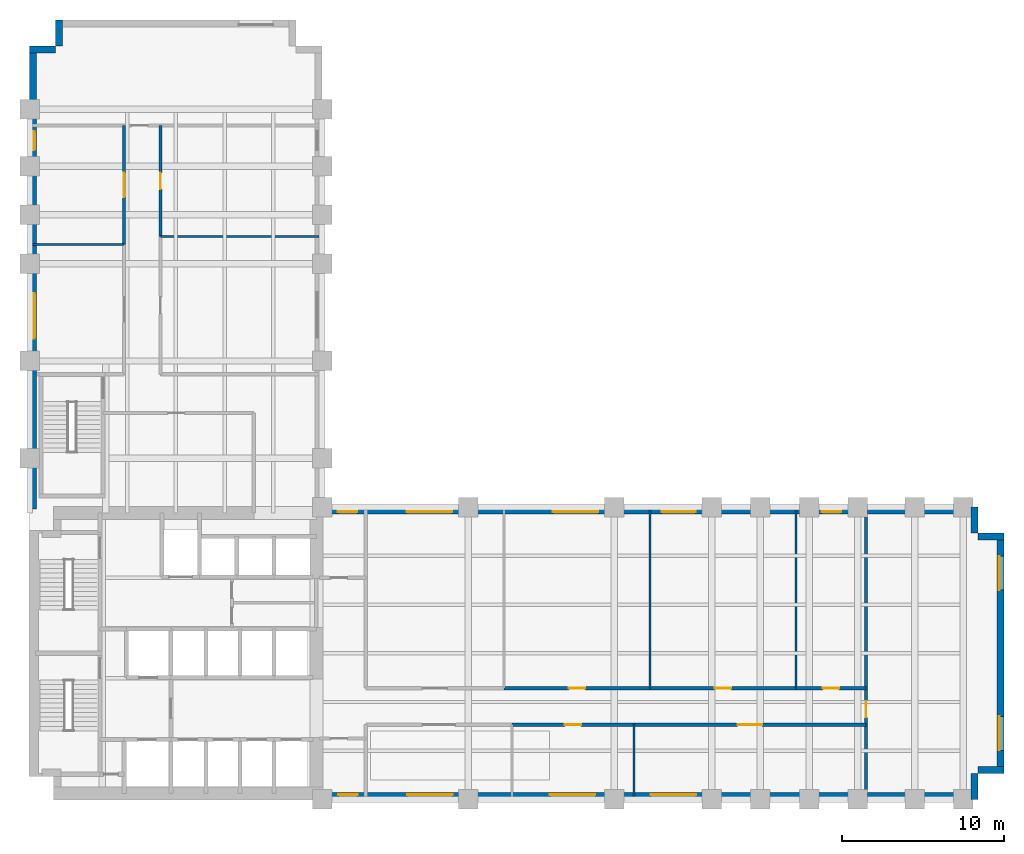
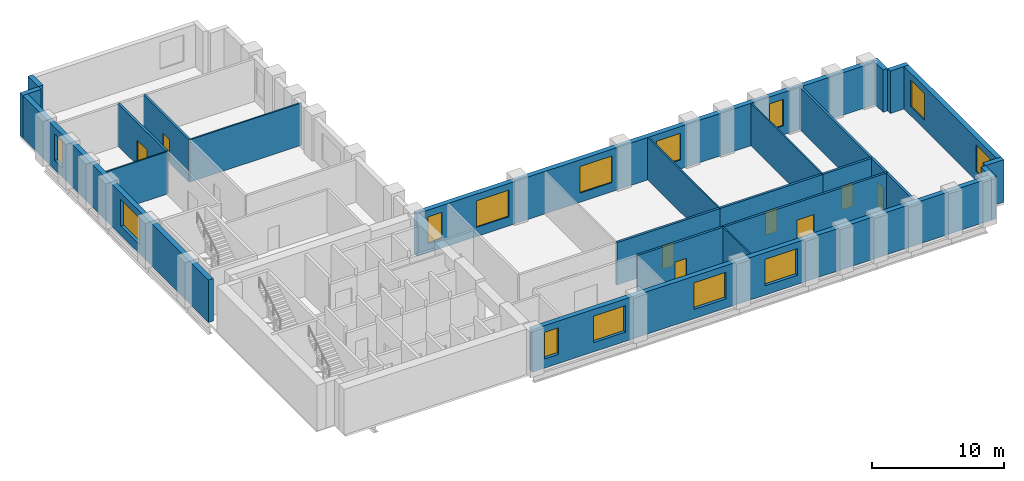
# One storey, part 5 of 7: 23 walls, 13 windows, 8 doors, 21 openings.
"""IFC4 building model written with IfcOpenShell, lengths in metres."""

from ifc_helpers import new_model, si_unit, direction, frame, frame_2d, origin, place, context, subcontext, project, spatial, rectangle, extrude, material, layer, layer_set, type_object, element, fill, save


model = new_model("IFC4")

# Units and contexts
model_context = context("Model", 3, precision=1e-05, world=origin(), true_north=direction((0.0, 1.0)))
body_context = subcontext(model_context, "Body", "Model", "MODEL_VIEW")
ifc_project = project(units=[si_unit("LENGTHUNIT", "METRE"), si_unit("AREAUNIT", "SQUARE_METRE"), si_unit("VOLUMEUNIT", "CUBIC_METRE"), si_unit("PLANEANGLEUNIT", "RADIAN"), si_unit("MASSUNIT", "GRAM", prefix="KILO")], contexts=[model_context])

# Site, building, storey
site_placement = place(None, origin())
site = spatial("IfcSite", under=ifc_project, at=site_placement, CompositionType="ELEMENT")
building_placement = place(site_placement, origin())
building = spatial("IfcBuilding", under=site, at=building_placement, Name="Mawjdan Bourse Tower", CompositionType="ELEMENT")
storey_placement = place(building_placement, frame((0.0, 0.0, 80.39990234375)))
storey = spatial("IfcBuildingStorey", under=building, at=storey_placement, Name="L18", CompositionType="ELEMENT", Elevation=80.39990234375)

# Wall, openings, windows
ifc_material_1 = material(Name="Brick Masonry Buff", Category="masonry")
ifc_layer_1 = layer(ifc_material_1, 0.419921875)
ifc_layer_set_1 = layer_set([ifc_layer_1], Name="Brick Masonry Buff")
wall_type_1 = type_object("IfcWallType", Name="WL-BRK-BUFF-420", PredefinedType="STANDARD", material=ifc_layer_set_1)
wall_1_placement = place(storey_placement, frame((23.89990234375, 3.2099609375, 0.0), z_axis=(0.0, 0.0, 1.0), x_axis=(1.0, 0.0, 0.0)))
wall_1 = element("IfcWall", 1, at=wall_1_placement, inside=storey, type_object=wall_type_1, Name="L18 Exterior Brick Wall 1", PredefinedType="STANDARD", context=body_context, shape_type="SweptSolid", body=[
    extrude(rectangle(XDim=40.5, YDim=0.419921875, at=frame_2d((20.25, 0.0))), origin(), (0.0, 0.0, 1.0), 3.920166015625),
])
opening_1_placement = place(wall_1_placement, frame((1.10009765625, 0.0, 0.85009765625)))
opening_1 = element("IfcOpeningElement", 2, at=opening_1_placement, cuts=wall_1, Name="Opening W-L18-06", PredefinedType="OPENING", context=body_context, shape_type="SweptSolid", body=[
    extrude(rectangle(XDim=1.199951171875, YDim=2.449951171875, at=frame_2d((0.60009765625, 1.22509765625))), frame((0.0, 0.219970703125, 0.0), z_axis=(0.0, -1.0, 0.0), x_axis=(1.0, 0.0, 0.0)), (0.0, 0.0, 1.0), 0.43994140625),
])
opening_2_placement = place(wall_1_placement, frame((5.336181640625, 0.0, 0.85009765625)))
opening_2 = element("IfcOpeningElement", 3, at=opening_2_placement, cuts=wall_1, Name="Opening W-L18-08", PredefinedType="OPENING", context=body_context, shape_type="SweptSolid", body=[
    extrude(rectangle(XDim=2.800048828125, YDim=2.449951171875, at=frame_2d((1.39990234375, 1.22509765625))), frame((0.0, 0.219970703125, 0.0), z_axis=(0.0, -1.0, 0.0), x_axis=(1.0, 0.0, 0.0)), (0.0, 0.0, 1.0), 0.43994140625),
])
opening_3_placement = place(wall_1_placement, frame((14.13623046875, 0.0, 0.85009765625)))
opening_3 = element("IfcOpeningElement", 4, at=opening_3_placement, cuts=wall_1, Name="Opening W-L18-09", PredefinedType="OPENING", context=body_context, shape_type="SweptSolid", body=[
    extrude(rectangle(XDim=2.800048828125, YDim=2.449951171875, at=frame_2d((1.39990234375, 1.22509765625))), frame((0.0, 0.219970703125, 0.0), z_axis=(0.0, -1.0, 0.0), x_axis=(1.0, 0.0, 0.0)), (0.0, 0.0, 1.0), 0.43994140625),
])
opening_4_placement = place(wall_1_placement, frame((20.336181640625, 0.0, 0.85009765625)))
opening_4 = element("IfcOpeningElement", 5, at=opening_4_placement, cuts=wall_1, Name="Opening W-L18-10", PredefinedType="OPENING", context=body_context, shape_type="SweptSolid", body=[
    extrude(rectangle(XDim=2.800048828125, YDim=2.449951171875, at=frame_2d((1.39990234375, 1.22509765625))), frame((0.0, 0.219970703125, 0.0), z_axis=(0.0, -1.0, 0.0), x_axis=(1.0, 0.0, 0.0)), (0.0, 0.0, 1.0), 0.43994140625),
])
ifc_material_2 = material(Name="Solar-Control Clear Double Glazing", Category="glass")
window_type_1 = type_object("IfcWindowType", Name="WN-TRD-1200", PartitioningType="SINGLE_PANEL", PredefinedType="WINDOW", material=ifc_material_2)
window_1_placement = place(opening_1_placement, origin())
window_1 = element("IfcWindow", 6, at=window_1_placement, inside=storey, type_object=window_type_1, Name="L18 Deep-Set Masonry Window W-L18-06", OverallHeight=2.449951171875, OverallWidth=1.199951171875, PartitioningType="SINGLE_PANEL", PredefinedType="WINDOW", context=body_context, shape_type="SweptSolid", body=[
    extrude(rectangle(XDim=1.199951171875, YDim=2.449951171875, at=frame_2d((0.60009765625, 1.22509765625))), frame((0.0, 0.110107421875, 0.0), z_axis=(0.0, -1.0, 0.0), x_axis=(1.0, 0.0, 0.0)), (0.0, 0.0, 1.0), 0.06005859375),
])
fill(opening_1, window_1)
window_type_2 = type_object("IfcWindowType", Name="WN-TRD-2800", PartitioningType="SINGLE_PANEL", PredefinedType="WINDOW", material=ifc_material_2)
window_2_placement = place(opening_2_placement, origin())
window_2 = element("IfcWindow", 7, at=window_2_placement, inside=storey, type_object=window_type_2, Name="L18 Deep-Set Masonry Window W-L18-08", OverallHeight=2.449951171875, OverallWidth=2.800048828125, PartitioningType="SINGLE_PANEL", PredefinedType="WINDOW", context=body_context, shape_type="SweptSolid", body=[
    extrude(rectangle(XDim=2.800048828125, YDim=2.449951171875, at=frame_2d((1.39990234375, 1.22509765625))), frame((0.0, 0.110107421875, 0.0), z_axis=(0.0, -1.0, 0.0), x_axis=(1.0, 0.0, 0.0)), (0.0, 0.0, 1.0), 0.06005859375),
])
fill(opening_2, window_2)
window_3_placement = place(opening_3_placement, origin())
window_3 = element("IfcWindow", 8, at=window_3_placement, inside=storey, type_object=window_type_2, Name="L18 Deep-Set Masonry Window W-L18-09", OverallHeight=2.449951171875, OverallWidth=2.800048828125, PartitioningType="SINGLE_PANEL", PredefinedType="WINDOW", context=body_context, shape_type="SweptSolid", body=[
    extrude(rectangle(XDim=2.800048828125, YDim=2.449951171875, at=frame_2d((1.39990234375, 1.22509765625))), frame((0.0, 0.110107421875, 0.0), z_axis=(0.0, -1.0, 0.0), x_axis=(1.0, 0.0, 0.0)), (0.0, 0.0, 1.0), 0.06005859375),
])
fill(opening_3, window_3)
window_4_placement = place(opening_4_placement, origin())
window_4 = element("IfcWindow", 9, at=window_4_placement, inside=storey, type_object=window_type_2, Name="L18 Deep-Set Masonry Window W-L18-10", OverallHeight=2.449951171875, OverallWidth=2.800048828125, PartitioningType="SINGLE_PANEL", PredefinedType="WINDOW", context=body_context, shape_type="SweptSolid", body=[
    extrude(rectangle(XDim=2.800048828125, YDim=2.449951171875, at=frame_2d((1.39990234375, 1.22509765625))), frame((0.0, 0.110107421875, 0.0), z_axis=(0.0, -1.0, 0.0), x_axis=(1.0, 0.0, 0.0)), (0.0, 0.0, 1.0), 0.06005859375),
])
fill(opening_4, window_4)

# Walls
for number, where, z_axis, x_axis, name in (
    (10, (64.18994140625, 3.0, 0.0), (0.0, 0.0, 1.0), (0.0, 1.0, 0.0), "L18 Exterior Brick Wall 2"),
    (11, (64.39990234375, 4.81005859375, 0.0), (0.0, 0.0, 1.0), (1.0, 0.0, 0.0), "L18 Exterior Brick Wall 3"),
):
    element("IfcWall", number, at=place(storey_placement, frame(where, z_axis=z_axis, x_axis=x_axis)), inside=storey, type_object=wall_type_1, Name=name, PredefinedType="STANDARD", context=body_context, shape_type="SweptSolid", body=[
        extrude(rectangle(XDim=1.60009765625, YDim=0.419921875, at=frame_2d((0.800048828125, 0.0))), origin(), (0.0, 0.0, 1.0), 3.920166015625),
    ])

# Wall, openings, windows
wall_2_placement = place(storey_placement, frame((65.7900390625, 4.60009765625, 0.0), z_axis=(0.0, 0.0, 1.0), x_axis=(0.0, 1.0, 0.0)))
wall_2 = element("IfcWall", 12, at=wall_2_placement, inside=storey, type_object=wall_type_1, Name="L18 Exterior Brick Wall 4", PredefinedType="STANDARD", context=body_context, shape_type="SweptSolid", body=[
    extrude(rectangle(XDim=14.7998046875, YDim=0.419921875, at=frame_2d((7.39990234375, 0.0))), origin(), (0.0, 0.0, 1.0), 3.920166015625),
])
opening_5_placement = place(wall_2_placement, frame((1.416748046875, 0.0, 0.85009765625)))
opening_5 = element("IfcOpeningElement", 13, at=opening_5_placement, cuts=wall_2, Name="Opening W-L18-01", PredefinedType="OPENING", context=body_context, shape_type="SweptSolid", body=[
    extrude(rectangle(XDim=2.10009765625, YDim=2.449951171875, at=frame_2d((1.050048828125, 1.22509765625))), frame((0.0, 0.219970703125, 0.0), z_axis=(0.0, -1.0, 0.0), x_axis=(1.0, 0.0, 0.0)), (0.0, 0.0, 1.0), 0.43994140625),
])
opening_6_placement = place(wall_2_placement, frame((11.283203125, 0.0, 0.85009765625)))
opening_6 = element("IfcOpeningElement", 14, at=opening_6_placement, cuts=wall_2, Name="Opening W-L18-02", PredefinedType="OPENING", context=body_context, shape_type="SweptSolid", body=[
    extrude(rectangle(XDim=2.10009765625, YDim=2.449951171875, at=frame_2d((1.050048828125, 1.22509765625))), frame((0.0, 0.219970703125, 0.0), z_axis=(0.0, -1.0, 0.0), x_axis=(1.0, 0.0, 0.0)), (0.0, 0.0, 1.0), 0.43994140625),
])
window_type_3 = type_object("IfcWindowType", Name="WN-TRD-2100", PartitioningType="SINGLE_PANEL", PredefinedType="WINDOW", material=ifc_material_2)
window_5_placement = place(opening_5_placement, origin())
window_5 = element("IfcWindow", 15, at=window_5_placement, inside=storey, type_object=window_type_3, Name="L18 Deep-Set Masonry Window W-L18-01", OverallHeight=2.449951171875, OverallWidth=2.10009765625, PartitioningType="SINGLE_PANEL", PredefinedType="WINDOW", context=body_context, shape_type="SweptSolid", body=[
    extrude(rectangle(XDim=2.10009765625, YDim=2.449951171875, at=frame_2d((1.050048828125, 1.22509765625))), frame((0.0, 0.110107421875, 0.0), z_axis=(0.0, -1.0, 0.0), x_axis=(1.0, 0.0, 0.0)), (0.0, 0.0, 1.0), 0.06005859375),
])
fill(opening_5, window_5)
window_6_placement = place(opening_6_placement, origin())
window_6 = element("IfcWindow", 16, at=window_6_placement, inside=storey, type_object=window_type_3, Name="L18 Deep-Set Masonry Window W-L18-02", OverallHeight=2.449951171875, OverallWidth=2.10009765625, PartitioningType="SINGLE_PANEL", PredefinedType="WINDOW", context=body_context, shape_type="SweptSolid", body=[
    extrude(rectangle(XDim=2.10009765625, YDim=2.449951171875, at=frame_2d((1.050048828125, 1.22509765625))), frame((0.0, 0.110107421875, 0.0), z_axis=(0.0, -1.0, 0.0), x_axis=(1.0, 0.0, 0.0)), (0.0, 0.0, 1.0), 0.06005859375),
])
fill(opening_6, window_6)

# Walls
for number, where, z_axis, x_axis, name in (
    (17, (66.0, 19.18994140625, 0.0), (0.0, 0.0, 1.0), (-1.0, 0.0, 0.0), "L18 Exterior Brick Wall 5"),
    (18, (64.18994140625, 19.39990234375, 0.0), (0.0, 0.0, 1.0), (0.0, 1.0, 0.0), "L18 Exterior Brick Wall 6"),
):
    element("IfcWall", number, at=place(storey_placement, frame(where, z_axis=z_axis, x_axis=x_axis)), inside=storey, type_object=wall_type_1, Name=name, PredefinedType="STANDARD", context=body_context, shape_type="SweptSolid", body=[
        extrude(rectangle(XDim=1.60009765625, YDim=0.419921875, at=frame_2d((0.800048828125, 0.0))), origin(), (0.0, 0.0, 1.0), 3.920166015625),
    ])

# Wall, openings, windows
wall_3_placement = place(storey_placement, frame((64.39990234375, 20.7900390625, 0.0), z_axis=(0.0, 0.0, 1.0), x_axis=(-1.0, 0.0, 0.0)))
wall_3 = element("IfcWall", 19, at=wall_3_placement, inside=storey, type_object=wall_type_1, Name="L18 Exterior Brick Wall 7", PredefinedType="STANDARD", context=body_context, shape_type="SweptSolid", body=[
    extrude(rectangle(XDim=40.39990234375, YDim=0.419921875, at=frame_2d((20.199951171875, 0.0))), origin(), (0.0, 0.0, 1.0), 3.920166015625),
])
opening_7_placement = place(wall_3_placement, frame((38.22216796875, 0.0, 0.85009765625)))
opening_7 = element("IfcOpeningElement", 20, at=opening_7_placement, cuts=wall_3, Name="Opening W-L18-07", PredefinedType="OPENING", context=body_context, shape_type="SweptSolid", body=[
    extrude(rectangle(XDim=1.199951171875, YDim=2.449951171875, at=frame_2d((0.60009765625, 1.22509765625))), frame((0.0, 0.219970703125, 0.0), z_axis=(0.0, -1.0, 0.0), x_axis=(1.0, 0.0, 0.0)), (0.0, 0.0, 1.0), 0.43994140625),
])
opening_8_placement = place(wall_3_placement, frame((32.38623046875, 0.0, 0.85009765625)))
opening_8 = element("IfcOpeningElement", 21, at=opening_8_placement, cuts=wall_3, Name="Opening W-L18-11", PredefinedType="OPENING", context=body_context, shape_type="SweptSolid", body=[
    extrude(rectangle(XDim=2.800048828125, YDim=2.449951171875, at=frame_2d((1.39990234375, 1.22509765625))), frame((0.0, 0.219970703125, 0.0), z_axis=(0.0, -1.0, 0.0), x_axis=(1.0, 0.0, 0.0)), (0.0, 0.0, 1.0), 0.43994140625),
])
opening_9_placement = place(wall_3_placement, frame((23.38623046875, 0.0, 0.85009765625)))
opening_9 = element("IfcOpeningElement", 22, at=opening_9_placement, cuts=wall_3, Name="Opening W-L18-12", PredefinedType="OPENING", context=body_context, shape_type="SweptSolid", body=[
    extrude(rectangle(XDim=2.800048828125, YDim=2.449951171875, at=frame_2d((1.39990234375, 1.22509765625))), frame((0.0, 0.219970703125, 0.0), z_axis=(0.0, -1.0, 0.0), x_axis=(1.0, 0.0, 0.0)), (0.0, 0.0, 1.0), 0.43994140625),
])
opening_10_placement = place(wall_3_placement, frame((17.38623046875, 0.0, 0.85009765625)))
opening_10 = element("IfcOpeningElement", 23, at=opening_10_placement, cuts=wall_3, Name="Opening W-L18-13", PredefinedType="OPENING", context=body_context, shape_type="SweptSolid", body=[
    extrude(rectangle(XDim=2.10009765625, YDim=2.449951171875, at=frame_2d((1.050048828125, 1.22509765625))), frame((0.0, 0.219970703125, 0.0), z_axis=(0.0, -1.0, 0.0), x_axis=(1.0, 0.0, 0.0)), (0.0, 0.0, 1.0), 0.43994140625),
])
opening_11_placement = place(wall_3_placement, frame((8.436279296875, 0.0, 0.85009765625)))
opening_11 = element("IfcOpeningElement", 24, at=opening_11_placement, cuts=wall_3, Name="Opening W-L18-14", PredefinedType="OPENING", context=body_context, shape_type="SweptSolid", body=[
    extrude(rectangle(XDim=1.199951171875, YDim=2.449951171875, at=frame_2d((0.60009765625, 1.22509765625))), frame((0.0, 0.219970703125, 0.0), z_axis=(0.0, -1.0, 0.0), x_axis=(1.0, 0.0, 0.0)), (0.0, 0.0, 1.0), 0.43994140625),
])
window_7_placement = place(opening_7_placement, origin())
window_7 = element("IfcWindow", 25, at=window_7_placement, inside=storey, type_object=window_type_1, Name="L18 Deep-Set Masonry Window W-L18-07", OverallHeight=2.449951171875, OverallWidth=1.199951171875, PartitioningType="SINGLE_PANEL", PredefinedType="WINDOW", context=body_context, shape_type="SweptSolid", body=[
    extrude(rectangle(XDim=1.199951171875, YDim=2.449951171875, at=frame_2d((0.60009765625, 1.22509765625))), frame((0.0, 0.110107421875, 0.0), z_axis=(0.0, -1.0, 0.0), x_axis=(1.0, 0.0, 0.0)), (0.0, 0.0, 1.0), 0.06005859375),
])
fill(opening_7, window_7)
window_8_placement = place(opening_11_placement, origin())
window_8 = element("IfcWindow", 26, at=window_8_placement, inside=storey, type_object=window_type_1, Name="L18 Deep-Set Masonry Window W-L18-14", OverallHeight=2.449951171875, OverallWidth=1.199951171875, PartitioningType="SINGLE_PANEL", PredefinedType="WINDOW", context=body_context, shape_type="SweptSolid", body=[
    extrude(rectangle(XDim=1.199951171875, YDim=2.449951171875, at=frame_2d((0.60009765625, 1.22509765625))), frame((0.0, 0.110107421875, 0.0), z_axis=(0.0, -1.0, 0.0), x_axis=(1.0, 0.0, 0.0)), (0.0, 0.0, 1.0), 0.06005859375),
])
fill(opening_11, window_8)
window_9_placement = place(opening_10_placement, origin())
window_9 = element("IfcWindow", 27, at=window_9_placement, inside=storey, type_object=window_type_3, Name="L18 Deep-Set Masonry Window W-L18-13", OverallHeight=2.449951171875, OverallWidth=2.10009765625, PartitioningType="SINGLE_PANEL", PredefinedType="WINDOW", context=body_context, shape_type="SweptSolid", body=[
    extrude(rectangle(XDim=2.10009765625, YDim=2.449951171875, at=frame_2d((1.050048828125, 1.22509765625))), frame((0.0, 0.110107421875, 0.0), z_axis=(0.0, -1.0, 0.0), x_axis=(1.0, 0.0, 0.0)), (0.0, 0.0, 1.0), 0.06005859375),
])
fill(opening_10, window_9)
window_10_placement = place(opening_8_placement, origin())
window_10 = element("IfcWindow", 28, at=window_10_placement, inside=storey, type_object=window_type_2, Name="L18 Deep-Set Masonry Window W-L18-11", OverallHeight=2.449951171875, OverallWidth=2.800048828125, PartitioningType="SINGLE_PANEL", PredefinedType="WINDOW", context=body_context, shape_type="SweptSolid", body=[
    extrude(rectangle(XDim=2.800048828125, YDim=2.449951171875, at=frame_2d((1.39990234375, 1.22509765625))), frame((0.0, 0.110107421875, 0.0), z_axis=(0.0, -1.0, 0.0), x_axis=(1.0, 0.0, 0.0)), (0.0, 0.0, 1.0), 0.06005859375),
])
fill(opening_8, window_10)
window_11_placement = place(opening_9_placement, origin())
window_11 = element("IfcWindow", 29, at=window_11_placement, inside=storey, type_object=window_type_2, Name="L18 Deep-Set Masonry Window W-L18-12", OverallHeight=2.449951171875, OverallWidth=2.800048828125, PartitioningType="SINGLE_PANEL", PredefinedType="WINDOW", context=body_context, shape_type="SweptSolid", body=[
    extrude(rectangle(XDim=2.800048828125, YDim=2.449951171875, at=frame_2d((1.39990234375, 1.22509765625))), frame((0.0, 0.110107421875, 0.0), z_axis=(0.0, -1.0, 0.0), x_axis=(1.0, 0.0, 0.0)), (0.0, 0.0, 1.0), 0.06005859375),
])
fill(opening_9, window_11)

# Walls
for number, where, z_axis, x_axis, name in (
    (30, (7.81005859375, 51.0, 0.0), (0.0, 0.0, 1.0), (0.0, -1.0, 0.0), "L18 Exterior Brick Wall 12"),
    (31, (7.60009765625, 49.18994140625, 0.0), (0.0, 0.0, 1.0), (-1.0, 0.0, 0.0), "L18 Exterior Brick Wall 13"),
):
    element("IfcWall", number, at=place(storey_placement, frame(where, z_axis=z_axis, x_axis=x_axis)), inside=storey, type_object=wall_type_1, Name=name, PredefinedType="STANDARD", context=body_context, shape_type="SweptSolid", body=[
        extrude(rectangle(XDim=1.60009765625, YDim=0.419921875, at=frame_2d((0.800048828125, 0.0))), origin(), (0.0, 0.0, 1.0), 3.920166015625),
    ])

# Wall, openings, windows
wall_4_placement = place(storey_placement, frame((6.2099609375, 49.39990234375, 0.0), z_axis=(0.0, 0.0, 1.0), x_axis=(0.0, -1.0, 0.0)))
wall_4 = element("IfcWall", 32, at=wall_4_placement, inside=storey, type_object=wall_type_1, Name="L18 Exterior Brick Wall 14", PredefinedType="STANDARD", context=body_context, shape_type="SweptSolid", body=[
    extrude(rectangle(XDim=28.5, YDim=0.419921875, at=frame_2d((14.25, 0.0))), origin(), (0.0, 0.0, 1.0), 3.920166015625),
])
opening_12_placement = place(wall_4_placement, frame((15.22509765625, 0.0, 0.85009765625)))
opening_12 = element("IfcOpeningElement", 33, at=opening_12_placement, cuts=wall_4, Name="Opening W-L18-05", PredefinedType="OPENING", context=body_context, shape_type="SweptSolid", body=[
    extrude(rectangle(XDim=2.800048828125, YDim=2.449951171875, at=frame_2d((1.39990234375, 1.22509765625))), frame((0.0, 0.219970703125, 0.0), z_axis=(0.0, -1.0, 0.0), x_axis=(1.0, 0.0, 0.0)), (0.0, 0.0, 1.0), 0.43994140625),
])
opening_13_placement = place(wall_4_placement, frame((5.236083984375, 0.0, 0.85009765625)))
opening_13 = element("IfcOpeningElement", 34, at=opening_13_placement, cuts=wall_4, Name="Opening W-L18-15", PredefinedType="OPENING", context=body_context, shape_type="SweptSolid", body=[
    extrude(rectangle(XDim=1.199951171875, YDim=2.449951171875, at=frame_2d((0.60009765625, 1.22509765625))), frame((0.0, 0.219970703125, 0.0), z_axis=(0.0, -1.0, 0.0), x_axis=(1.0, 0.0, 0.0)), (0.0, 0.0, 1.0), 0.43994140625),
])
window_12_placement = place(opening_13_placement, origin())
window_12 = element("IfcWindow", 35, at=window_12_placement, inside=storey, type_object=window_type_1, Name="L18 Deep-Set Masonry Window W-L18-15", OverallHeight=2.449951171875, OverallWidth=1.199951171875, PartitioningType="SINGLE_PANEL", PredefinedType="WINDOW", context=body_context, shape_type="SweptSolid", body=[
    extrude(rectangle(XDim=1.199951171875, YDim=2.449951171875, at=frame_2d((0.60009765625, 1.22509765625))), frame((0.0, 0.110107421875, 0.0), z_axis=(0.0, -1.0, 0.0), x_axis=(1.0, 0.0, 0.0)), (0.0, 0.0, 1.0), 0.06005859375),
])
fill(opening_13, window_12)
window_13_placement = place(opening_12_placement, origin())
window_13 = element("IfcWindow", 36, at=window_13_placement, inside=storey, type_object=window_type_2, Name="L18 Deep-Set Masonry Window W-L18-05", OverallHeight=2.449951171875, OverallWidth=2.800048828125, PartitioningType="SINGLE_PANEL", PredefinedType="WINDOW", context=body_context, shape_type="SweptSolid", body=[
    extrude(rectangle(XDim=2.800048828125, YDim=2.449951171875, at=frame_2d((1.39990234375, 1.22509765625))), frame((0.0, 0.110107421875, 0.0), z_axis=(0.0, -1.0, 0.0), x_axis=(1.0, 0.0, 0.0)), (0.0, 0.0, 1.0), 0.06005859375),
])
fill(opening_12, window_13)

# Wall, opening, door
ifc_material_3 = material(Name="Gypsum Fireboard Assembly")
ifc_layer_2 = layer(ifc_material_3, 0.199951171875)
ifc_layer_set_2 = layer_set([ifc_layer_2], Name="Gypsum Fireboard Assembly")
wall_type_2 = type_object("IfcWallType", Name="WL-CMP-200", PredefinedType="PARTITIONING", material=ifc_layer_set_2)
wall_5_placement = place(storey_placement, frame((35.699951171875, 7.60009765625, 0.0), z_axis=(0.0, 0.0, 1.0), x_axis=(1.0, 0.0, 0.0)))
wall_5 = element("IfcWall", 37, at=wall_5_placement, inside=storey, type_object=wall_type_2, Name="L18 FX Treasury Suite Corridor Wall", PredefinedType="PARTITIONING", context=body_context, shape_type="SweptSolid", body=[
    extrude(rectangle(XDim=7.5, YDim=0.199951171875, at=frame_2d((3.75, 0.0))), origin(), (0.0, 0.0, 1.0), 3.91015625),
])
opening_14_placement = place(wall_5_placement, frame((3.25, 0.0, 0.0)))
opening_14 = element("IfcOpeningElement", 38, at=opening_14_placement, cuts=wall_5, Name="Opening D-L18-20", PredefinedType="OPENING", context=body_context, shape_type="SweptSolid", body=[
    extrude(rectangle(XDim=1.0, YDim=2.14990234375, at=frame_2d((0.5, 1.074951171875))), frame((0.0, 0.10986328125, 0.0), z_axis=(0.0, -1.0, 0.0), x_axis=(1.0, 0.0, 0.0)), (0.0, 0.0, 1.0), 0.219970703125),
])
ifc_material_4 = material(Name="Hardwood Acoustic Leaf", Category="wood")
door_type_1 = type_object("IfcDoorType", Name="DR-OFC-1000", OperationType="NOTDEFINED", PredefinedType="DOOR", material=ifc_material_4)
door_1_placement = place(opening_14_placement, origin())
door_1 = element("IfcDoor", 39, at=door_1_placement, inside=storey, type_object=door_type_1, Name="L18 FX Treasury Suite Door D-L18-20", OperationType="SINGLE_SWING_RIGHT", OverallHeight=2.14990234375, OverallWidth=1.0, PredefinedType="DOOR", context=body_context, shape_type="SweptSolid", body=[
    extrude(rectangle(XDim=1.0, YDim=2.14990234375, at=frame_2d((0.5, 1.074951171875))), frame((0.0, 0.02490234375, 0.0), z_axis=(0.0, -1.0, 0.0), x_axis=(1.0, 0.0, 0.0)), (0.0, 0.0, 1.0), 0.050048828125),
])
fill(opening_14, door_1)

wall_6_placement = place(storey_placement, frame((43.199951171875, 7.60009765625, 0.0), z_axis=(0.0, 0.0, 1.0), x_axis=(1.0, 0.0, 0.0)))
wall_6 = element("IfcWall", 40, at=wall_6_placement, inside=storey, type_object=wall_type_2, Name="L18 Conference Room Corridor Wall", PredefinedType="PARTITIONING", context=body_context, shape_type="SweptSolid", body=[
    extrude(rectangle(XDim=14.300048828125, YDim=0.199951171875, at=frame_2d((7.14990234375, 0.0))), origin(), (0.0, 0.0, 1.0), 3.91015625),
])
opening_15_placement = place(wall_6_placement, frame((6.39990234375, 0.0, 0.0)))
opening_15 = element("IfcOpeningElement", 41, at=opening_15_placement, cuts=wall_6, Name="Opening D-L18-21", PredefinedType="OPENING", context=body_context, shape_type="SweptSolid", body=[
    extrude(rectangle(XDim=1.5, YDim=2.300048828125, at=frame_2d((0.75, 1.14990234375))), frame((0.0, 0.10986328125, 0.0), z_axis=(0.0, -1.0, 0.0), x_axis=(1.0, 0.0, 0.0)), (0.0, 0.0, 1.0), 0.219970703125),
])
ifc_material_5 = material(Name="Acoustic Glazed Timber", Category="wood")
door_type_2 = type_object("IfcDoorType", Name="DR-CNF-1500", OperationType="DOUBLE_DOOR_SINGLE_SWING", PredefinedType="DOOR", material=ifc_material_5)
door_2_placement = place(opening_15_placement, origin())
door_2 = element("IfcDoor", 42, at=door_2_placement, inside=storey, type_object=door_type_2, Name="L18 Conference Room Door D-L18-21", OperationType="DOUBLE_DOOR_SINGLE_SWING", OverallHeight=2.300048828125, OverallWidth=1.5, PredefinedType="DOOR", context=body_context, shape_type="SweptSolid", body=[
    extrude(rectangle(XDim=1.5, YDim=2.300048828125, at=frame_2d((0.75, 1.14990234375))), frame((0.0, 0.02490234375, 0.0), z_axis=(0.0, -1.0, 0.0), x_axis=(1.0, 0.0, 0.0)), (0.0, 0.0, 1.0), 0.050048828125),
])
fill(opening_15, door_2)

wall_7_placement = place(storey_placement, frame((35.199951171875, 9.85009765625, 0.0), z_axis=(0.0, 0.0, 1.0), x_axis=(1.0, 0.0, 0.0)))
wall_7 = element("IfcWall", 43, at=wall_7_placement, inside=storey, type_object=wall_type_2, Name="L18 Executive Office Corridor Wall", PredefinedType="PARTITIONING", context=body_context, shape_type="SweptSolid", body=[
    extrude(rectangle(XDim=9.0, YDim=0.199951171875, at=frame_2d((4.5, 0.0))), origin(), (0.0, 0.0, 1.0), 3.91015625),
])
opening_16_placement = place(wall_7_placement, frame((4.0, 0.0, 0.0)))
opening_16 = element("IfcOpeningElement", 44, at=opening_16_placement, cuts=wall_7, Name="Opening D-L18-23", PredefinedType="OPENING", context=body_context, shape_type="SweptSolid", body=[
    extrude(rectangle(XDim=1.0, YDim=2.14990234375, at=frame_2d((0.5, 1.074951171875))), frame((0.0, 0.10986328125, 0.0), z_axis=(0.0, -1.0, 0.0), x_axis=(1.0, 0.0, 0.0)), (0.0, 0.0, 1.0), 0.219970703125),
])
door_3_placement = place(opening_16_placement, origin())
door_3 = element("IfcDoor", 45, at=door_3_placement, inside=storey, type_object=door_type_1, Name="L18 Executive Office Door D-L18-23", OperationType="SINGLE_SWING_LEFT", OverallHeight=2.14990234375, OverallWidth=1.0, PredefinedType="DOOR", context=body_context, shape_type="SweptSolid", body=[
    extrude(rectangle(XDim=1.0, YDim=2.14990234375, at=frame_2d((0.5, 1.074951171875))), frame((0.0, 0.02490234375, 0.0), z_axis=(0.0, -1.0, 0.0), x_axis=(1.0, 0.0, 0.0)), (0.0, 0.0, 1.0), 0.050048828125),
])
fill(opening_16, door_3)

wall_8_placement = place(storey_placement, frame((44.199951171875, 9.85009765625, 0.0), z_axis=(0.0, 0.0, 1.0), x_axis=(1.0, 0.0, 0.0)))
wall_8 = element("IfcWall", 46, at=wall_8_placement, inside=storey, type_object=wall_type_2, Name="L18 Research Library Corridor Wall", PredefinedType="PARTITIONING", context=body_context, shape_type="SweptSolid", body=[
    extrude(rectangle(XDim=9.0, YDim=0.199951171875, at=frame_2d((4.5, 0.0))), origin(), (0.0, 0.0, 1.0), 3.91015625),
])
opening_17_placement = place(wall_8_placement, frame((4.0, 0.0, 0.0)))
opening_17 = element("IfcOpeningElement", 47, at=opening_17_placement, cuts=wall_8, Name="Opening D-L18-24", PredefinedType="OPENING", context=body_context, shape_type="SweptSolid", body=[
    extrude(rectangle(XDim=1.0, YDim=2.14990234375, at=frame_2d((0.5, 1.074951171875))), frame((0.0, 0.10986328125, 0.0), z_axis=(0.0, -1.0, 0.0), x_axis=(1.0, 0.0, 0.0)), (0.0, 0.0, 1.0), 0.219970703125),
])
door_4_placement = place(opening_17_placement, origin())
door_4 = element("IfcDoor", 48, at=door_4_placement, inside=storey, type_object=door_type_1, Name="L18 Research Library Door D-L18-24", OperationType="SINGLE_SWING_RIGHT", OverallHeight=2.14990234375, OverallWidth=1.0, PredefinedType="DOOR", context=body_context, shape_type="SweptSolid", body=[
    extrude(rectangle(XDim=1.0, YDim=2.14990234375, at=frame_2d((0.5, 1.074951171875))), frame((0.0, 0.02490234375, 0.0), z_axis=(0.0, -1.0, 0.0), x_axis=(1.0, 0.0, 0.0)), (0.0, 0.0, 1.0), 0.050048828125),
])
fill(opening_17, door_4)

wall_9_placement = place(storey_placement, frame((53.199951171875, 9.85009765625, 0.0), z_axis=(0.0, 0.0, 1.0), x_axis=(1.0, 0.0, 0.0)))
wall_9 = element("IfcWall", 49, at=wall_9_placement, inside=storey, type_object=wall_type_2, Name="L18 Client Reception Room Corridor Wall", PredefinedType="PARTITIONING", context=body_context, shape_type="SweptSolid", body=[
    extrude(rectangle(XDim=4.300048828125, YDim=0.199951171875, at=frame_2d((2.14990234375, 0.0))), origin(), (0.0, 0.0, 1.0), 3.91015625),
])
opening_18_placement = place(wall_9_placement, frame((1.64990234375, 0.0, 0.0)))
opening_18 = element("IfcOpeningElement", 50, at=opening_18_placement, cuts=wall_9, Name="Opening D-L18-25", PredefinedType="OPENING", context=body_context, shape_type="SweptSolid", body=[
    extrude(rectangle(XDim=1.0, YDim=2.14990234375, at=frame_2d((0.5, 1.074951171875))), frame((0.0, 0.10986328125, 0.0), z_axis=(0.0, -1.0, 0.0), x_axis=(1.0, 0.0, 0.0)), (0.0, 0.0, 1.0), 0.219970703125),
])
door_5_placement = place(opening_18_placement, origin())
door_5 = element("IfcDoor", 51, at=door_5_placement, inside=storey, type_object=door_type_1, Name="L18 Client Reception Room Door D-L18-25", OperationType="SINGLE_SWING_LEFT", OverallHeight=2.14990234375, OverallWidth=1.0, PredefinedType="DOOR", context=body_context, shape_type="SweptSolid", body=[
    extrude(rectangle(XDim=1.0, YDim=2.14990234375, at=frame_2d((0.5, 1.074951171875))), frame((0.0, 0.02490234375, 0.0), z_axis=(0.0, -1.0, 0.0), x_axis=(1.0, 0.0, 0.0)), (0.0, 0.0, 1.0), 0.050048828125),
])
fill(opening_18, door_5)

wall_10_placement = place(storey_placement, frame((57.5, 3.179931640625, 0.0), z_axis=(0.0, 0.0, 1.0), x_axis=(0.0, 1.0, 0.0)))
wall_10 = element("IfcWall", 52, at=wall_10_placement, inside=storey, type_object=wall_type_2, Name="L18 East Tip Full Cross Wall", PredefinedType="PARTITIONING", context=body_context, shape_type="SweptSolid", body=[
    extrude(rectangle(XDim=17.64013671875, YDim=0.199951171875, at=frame_2d((8.820068359375, 0.0))), origin(), (0.0, 0.0, 1.0), 3.91015625),
])
opening_19_placement = place(wall_10_placement, frame((4.875, 0.0, 0.0)))
opening_19 = element("IfcOpeningElement", 53, at=opening_19_placement, cuts=wall_10, Name="Opening D-L18-26", PredefinedType="OPENING", context=body_context, shape_type="SweptSolid", body=[
    extrude(rectangle(XDim=1.0, YDim=2.14990234375, at=frame_2d((0.5, 1.074951171875))), frame((0.0, 0.10986328125, 0.0), z_axis=(0.0, -1.0, 0.0), x_axis=(1.0, 0.0, 0.0)), (0.0, 0.0, 1.0), 0.219970703125),
])
door_6_placement = place(opening_19_placement, origin())
door_6 = element("IfcDoor", 54, at=door_6_placement, inside=storey, type_object=door_type_1, Name="L18 East Tip Hall Door D-L18-26", OperationType="SINGLE_SWING_RIGHT", OverallHeight=2.14990234375, OverallWidth=1.0, PredefinedType="DOOR", context=body_context, shape_type="SweptSolid", body=[
    extrude(rectangle(XDim=1.0, YDim=2.14990234375, at=frame_2d((0.5, 1.074951171875))), frame((0.0, 0.02490234375, 0.0), z_axis=(0.0, -1.0, 0.0), x_axis=(1.0, 0.0, 0.0)), (0.0, 0.0, 1.0), 0.050048828125),
])
fill(opening_19, door_6)

wall_11_placement = place(storey_placement, frame((11.800048828125, 37.179931640625, 0.0), z_axis=(0.0, 0.0, 1.0), x_axis=(0.0, 1.0, 0.0)))
wall_11 = element("IfcWall", 55, at=wall_11_placement, inside=storey, type_object=wall_type_2, Name="L18 Conference Room Corridor Wall", PredefinedType="PARTITIONING", context=body_context, shape_type="SweptSolid", body=[
    extrude(rectangle(XDim=7.320068359375, YDim=0.199951171875, at=frame_2d((3.66015625, 0.0))), origin(), (0.0, 0.0, 1.0), 3.91015625),
])
opening_20_placement = place(wall_11_placement, frame((2.909912109375, 0.0, 0.0)))
opening_20 = element("IfcOpeningElement", 56, at=opening_20_placement, cuts=wall_11, Name="Opening D-L18-29", PredefinedType="OPENING", context=body_context, shape_type="SweptSolid", body=[
    extrude(rectangle(XDim=1.5, YDim=2.300048828125, at=frame_2d((0.75, 1.14990234375))), frame((0.0, 0.10986328125, 0.0), z_axis=(0.0, -1.0, 0.0), x_axis=(1.0, 0.0, 0.0)), (0.0, 0.0, 1.0), 0.219970703125),
])
door_7_placement = place(opening_20_placement, origin())
door_7 = element("IfcDoor", 57, at=door_7_placement, inside=storey, type_object=door_type_2, Name="L18 Conference Room Door D-L18-29", OperationType="DOUBLE_DOOR_SINGLE_SWING", OverallHeight=2.300048828125, OverallWidth=1.5, PredefinedType="DOOR", context=body_context, shape_type="SweptSolid", body=[
    extrude(rectangle(XDim=1.5, YDim=2.300048828125, at=frame_2d((0.75, 1.14990234375))), frame((0.0, 0.02490234375, 0.0), z_axis=(0.0, -1.0, 0.0), x_axis=(1.0, 0.0, 0.0)), (0.0, 0.0, 1.0), 0.050048828125),
])
fill(opening_20, door_7)

wall_12_placement = place(storey_placement, frame((14.050048828125, 37.679931640625, 0.0), z_axis=(0.0, 0.0, 1.0), x_axis=(0.0, 1.0, 0.0)))
wall_12 = element("IfcWall", 58, at=wall_12_placement, inside=storey, type_object=wall_type_2, Name="L18 Research Library Corridor Wall", PredefinedType="PARTITIONING", context=body_context, shape_type="SweptSolid", body=[
    extrude(rectangle(XDim=6.820068359375, YDim=0.199951171875, at=frame_2d((3.41015625, 0.0))), origin(), (0.0, 0.0, 1.0), 3.91015625),
])
opening_21_placement = place(wall_12_placement, frame((2.909912109375, 0.0, 0.0)))
opening_21 = element("IfcOpeningElement", 59, at=opening_21_placement, cuts=wall_12, Name="Opening D-L18-31", PredefinedType="OPENING", context=body_context, shape_type="SweptSolid", body=[
    extrude(rectangle(XDim=1.0, YDim=2.14990234375, at=frame_2d((0.5, 1.074951171875))), frame((0.0, 0.10986328125, 0.0), z_axis=(0.0, -1.0, 0.0), x_axis=(1.0, 0.0, 0.0)), (0.0, 0.0, 1.0), 0.219970703125),
])
door_8_placement = place(opening_21_placement, origin())
door_8 = element("IfcDoor", 60, at=door_8_placement, inside=storey, type_object=door_type_1, Name="L18 Research Library Door D-L18-31", OperationType="SINGLE_SWING_LEFT", OverallHeight=2.14990234375, OverallWidth=1.0, PredefinedType="DOOR", context=body_context, shape_type="SweptSolid", body=[
    extrude(rectangle(XDim=1.0, YDim=2.14990234375, at=frame_2d((0.5, 1.074951171875))), frame((0.0, 0.02490234375, 0.0), z_axis=(0.0, -1.0, 0.0), x_axis=(1.0, 0.0, 0.0)), (0.0, 0.0, 1.0), 0.050048828125),
])
fill(opening_21, door_8)

# Walls
ifc_material_6 = material(Name="Gypsum Partition")
ifc_layer_3 = layer(ifc_material_6, 0.125)
ifc_layer_set_3 = layer_set([ifc_layer_3], Name="Gypsum Partition")
wall_type_3 = type_object("IfcWallType", Name="WL-PRT-125", PredefinedType="PARTITIONING", material=ifc_layer_set_3)
wall_13_placement = place(storey_placement, frame((43.199951171875, 3.179931640625, 0.0), z_axis=(0.0, 0.0, 1.0), x_axis=(0.0, 1.0, 0.0)))
element("IfcWall", 61, at=wall_13_placement, inside=storey, type_object=wall_type_3, Name="L18 Conference Room Partition", PredefinedType="PARTITIONING", context=body_context, shape_type="SweptSolid", body=[
    extrude(rectangle(XDim=4.420166015625, YDim=0.125, at=frame_2d((2.2099609375, 0.0))), origin(), (0.0, 0.0, 1.0), 3.91015625),
])
for number, where, z_axis, x_axis, name in (
    (62, (44.199951171875, 9.85009765625, 0.0), (0.0, 0.0, 1.0), (0.0, 1.0, 0.0), "L18 Research Library Partition"),
    (63, (53.199951171875, 9.85009765625, 0.0), (0.0, 0.0, 1.0), (0.0, 1.0, 0.0), "L18 Client Reception Room Partition"),
):
    element("IfcWall", number, at=place(storey_placement, frame(where, z_axis=z_axis, x_axis=x_axis)), inside=storey, type_object=wall_type_3, Name=name, PredefinedType="PARTITIONING", context=body_context, shape_type="SweptSolid", body=[
        extrude(rectangle(XDim=10.969970703125, YDim=0.125, at=frame_2d((5.48486328125, 0.0))), origin(), (0.0, 0.0, 1.0), 3.91015625),
    ])
wall_14_placement = place(storey_placement, frame((6.179931640625, 37.179931640625, 0.0), z_axis=(0.0, 0.0, 1.0), x_axis=(1.0, 0.0, 0.0)))
element("IfcWall", 64, at=wall_14_placement, inside=storey, type_object=wall_type_3, Name="L18 Conference Room Partition", PredefinedType="PARTITIONING", context=body_context, shape_type="SweptSolid", body=[
    extrude(rectangle(XDim=5.6201171875, YDim=0.125, at=frame_2d((2.81005859375, 0.0))), origin(), (0.0, 0.0, 1.0), 3.91015625),
])
wall_15_placement = place(storey_placement, frame((14.050048828125, 37.679931640625, 0.0), z_axis=(0.0, 0.0, 1.0), x_axis=(1.0, 0.0, 0.0)))
element("IfcWall", 65, at=wall_15_placement, inside=storey, type_object=wall_type_3, Name="L18 Research Library Partition", PredefinedType="PARTITIONING", context=body_context, shape_type="SweptSolid", body=[
    extrude(rectangle(XDim=9.77001953125, YDim=0.125, at=frame_2d((4.885009765625, 0.0))), origin(), (0.0, 0.0, 1.0), 3.91015625),
])

save(model, "model.ifc")
